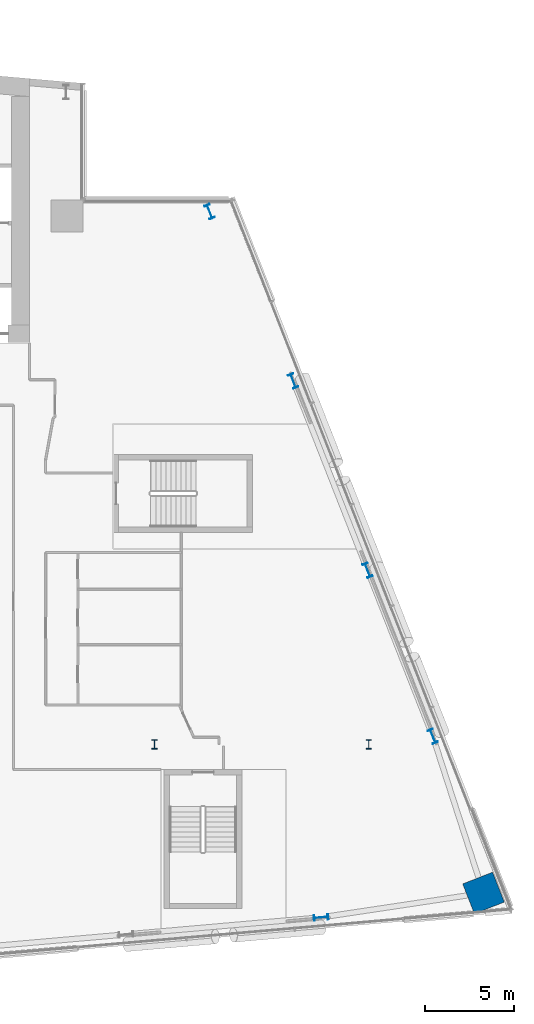
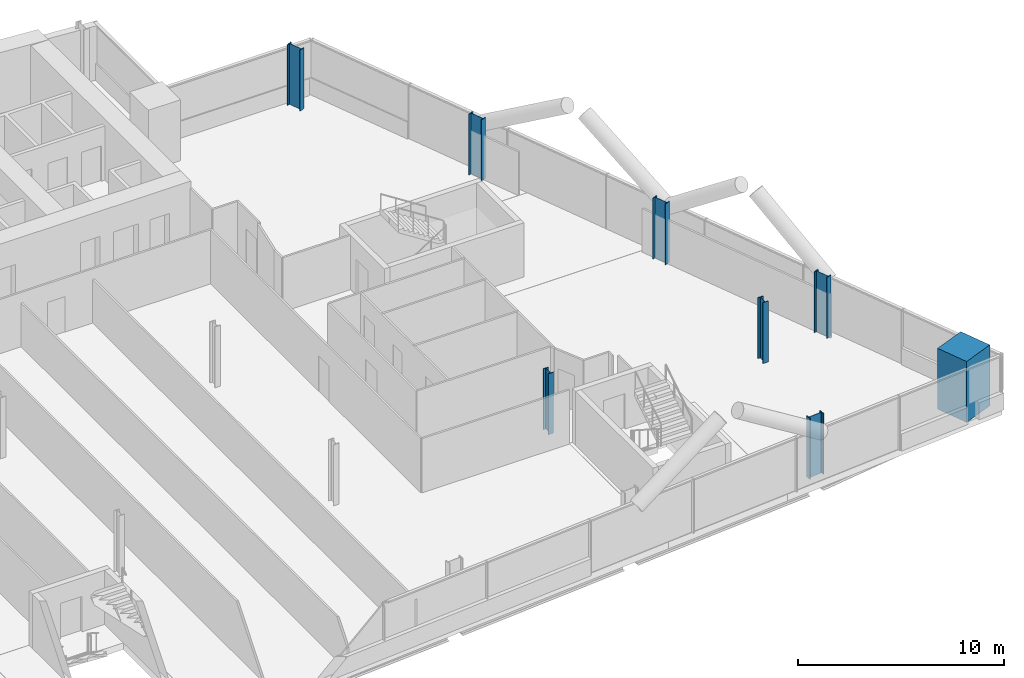
# One storey, part 4 of 25: 8 columns.
"""IFC4 building model written with IfcOpenShell, lengths in metres."""

from ifc_helpers import new_model, si_unit, direction, frame, origin, origin_2d, place, context, subcontext, project, spatial, rectangle, i_section, extrude, material, material_profile, profile_set, type_object, element, save


model = new_model("IFC4")

# Units and contexts
model_context = context("Model", 3, precision=1e-05, world=origin(), true_north=direction((0.0, 1.0)))
body_context = subcontext(model_context, "Body", "Model", "MODEL_VIEW")
ifc_project = project(units=[si_unit("LENGTHUNIT", "METRE"), si_unit("AREAUNIT", "SQUARE_METRE"), si_unit("VOLUMEUNIT", "CUBIC_METRE"), si_unit("PLANEANGLEUNIT", "RADIAN"), si_unit("MASSUNIT", "GRAM", prefix="KILO")], contexts=[model_context])

# Site, building, storey
site_placement = place(None, origin())
site = spatial("IfcSite", under=ifc_project, at=site_placement, CompositionType="ELEMENT")
building_placement = place(site_placement, origin())
building = spatial("IfcBuilding", under=site, at=building_placement, Name="Wharfspan Tower", CompositionType="ELEMENT")
storey_placement = place(building_placement, frame((0.0, 0.0, 129.100098)))
storey = spatial("IfcBuildingStorey", under=building, at=storey_placement, Name="L30", CompositionType="ELEMENT", Elevation=129.100098)

# Columns
ifc_material_1 = material(Name="Steel S355J2", Category="steel")
ifc_material_profile_1 = material_profile(ifc_material_1, i_section(OverallWidth=0.305908, OverallDepth=0.523926, WebThickness=0.020996, FlangeThickness=0.040039, FilletRadius=0.0271, at=origin_2d()))
ifc_profile_set_1 = profile_set([ifc_material_profile_1], Name="Steel S355J2")
column_type_1 = type_object("IfcColumnType", Name="Column HEM 500", PredefinedType="COLUMN", material=ifc_profile_set_1)
for number, where, z_axis, x_axis, name in (
    (1, (72.0, 11.5, 0.0), (0.0, 0.0, 1.0), (1.0, 0.0, 0.0), "Interior column I.1.6 L30"),
    (2, (84.0, 11.5, 0.0), (0.0, 0.0, 1.0), (1.0, 0.0, 0.0), "Interior column I.1.7 L30"),
):
    element("IfcColumn", number, at=place(storey_placement, frame(where, z_axis=z_axis, x_axis=x_axis)), inside=storey, type_object=column_type_1, Name=name, PredefinedType="COLUMN", context=body_context, shape_type="SweptSolid", body=[
        extrude(i_section(OverallWidth=0.305908, OverallDepth=0.523926, WebThickness=0.020996, FlangeThickness=0.040039, FilletRadius=0.0271, at=origin_2d()), origin(), (0.0, 0.0, 1.0), 3.599854),
    ])
ifc_material_profile_2 = material_profile(ifc_material_1, i_section(OverallWidth=0.302979, OverallDepth=0.813965, WebThickness=0.020996, FlangeThickness=0.040039, FilletRadius=0.030029, at=origin_2d()))
ifc_profile_set_2 = profile_set([ifc_material_profile_2], Name="Steel S355J2")
column_type_2 = type_object("IfcColumnType", Name="Column HEM 800", PredefinedType="COLUMN", material=ifc_profile_set_2)
for number, where, z_axis, x_axis, name in (
    (3, (81.327881, 1.80835, 0.0), (0.0, 0.0, 1.0), (0.087156, -0.996198, 0.0), "Perimeter column PS2.3 L30"),
    (4, (87.586914, 11.952393, 0.0), (0.0, 0.0, 1.0), (0.930702, 0.365778, 0.0), "Perimeter column PE.1 L30"),
    (5, (83.932617, 21.250977, 0.0), (0.0, 0.0, 1.0), (0.930702, 0.365778, 0.0), "Perimeter column PE.2 L30"),
    (6, (79.765869, 31.852539, 0.0), (0.0, 0.0, 1.0), (0.930702, 0.365778, 0.0), "Perimeter column PE.3 L30"),
    (7, (75.084961, 41.337646, 0.0), (0.0, 0.0, 1.0), (0.930702, 0.365778, 0.0), "Perimeter column PE.4 L30"),
):
    element("IfcColumn", number, at=place(storey_placement, frame(where, z_axis=z_axis, x_axis=x_axis)), inside=storey, type_object=column_type_2, Name=name, PredefinedType="COLUMN", context=body_context, shape_type="SweptSolid", body=[
        extrude(i_section(OverallWidth=0.302979, OverallDepth=0.813965, WebThickness=0.020996, FlangeThickness=0.040039, FilletRadius=0.030029, at=origin_2d()), origin(), (0.0, 0.0, 1.0), 3.599854),
    ])
ifc_material_2 = material(Name="Concrete C70/85", Category="concrete")
ifc_material_profile_3 = material_profile(ifc_material_2, rectangle(XDim=1.800049, YDim=1.800049, at=origin_2d()))
ifc_profile_set_3 = profile_set([ifc_material_profile_3], Name="Concrete C70/85")
column_type_3 = type_object("IfcColumnType", Name="Mega column 1800 C70/85", PredefinedType="COLUMN", material=ifc_profile_set_3)
column_placement = place(storey_placement, frame((90.427246, 3.174072, 0.0), z_axis=(0.0, 0.0, 1.0), x_axis=(-0.365778, 0.930702, 0.0)))
element("IfcColumn", 8, at=column_placement, inside=storey, type_object=column_type_3, Name="Mega column MC4 L30", PredefinedType="COLUMN", context=body_context, shape_type="SweptSolid", body=[
    extrude(rectangle(XDim=1.800049, YDim=1.800049, at=origin_2d()), origin(), (0.0, 0.0, 1.0), 3.599854),
])

save(model, "model.ifc")
